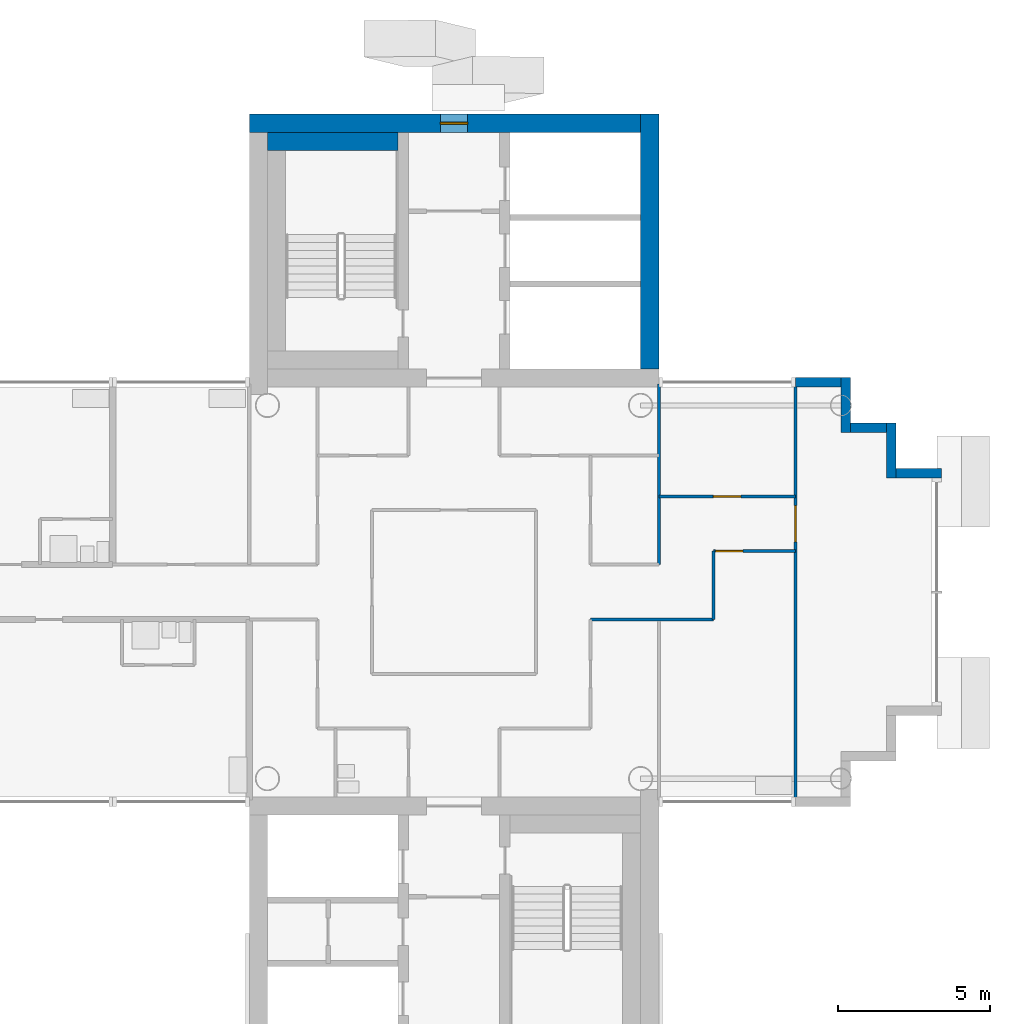
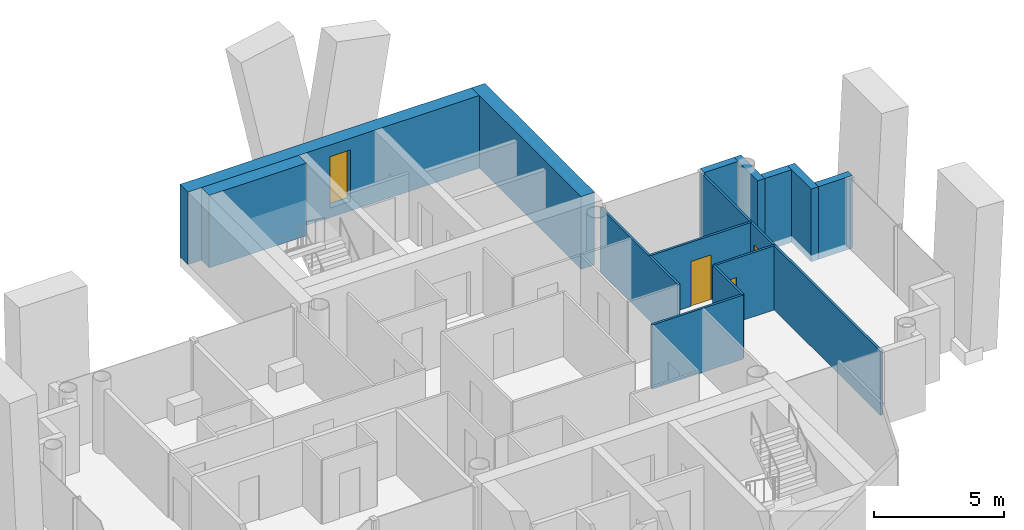
# One storey, part 11 of 18: 14 walls, 3 doors, 1 window, 4 openings.
"""IFC4 building model written with IfcOpenShell, lengths in metres."""

from ifc_helpers import new_model, si_unit, direction, frame, frame_2d, origin, place, context, subcontext, project, spatial, rectangle, extrude, material, layer, layer_set, type_object, element, fill, save


model = new_model("IFC4")

# Units and contexts
model_context = context("Model", 3, precision=1e-05, world=origin(), true_north=direction((0.0, 1.0)))
body_context = subcontext(model_context, "Body", "Model", "MODEL_VIEW")
ifc_project = project(units=[si_unit("LENGTHUNIT", "METRE"), si_unit("AREAUNIT", "SQUARE_METRE"), si_unit("VOLUMEUNIT", "CUBIC_METRE"), si_unit("PLANEANGLEUNIT", "RADIAN"), si_unit("MASSUNIT", "GRAM", prefix="KILO")], contexts=[model_context])

# Site, building, storey
site_placement = place(None, origin())
site = spatial("IfcSite", under=ifc_project, at=site_placement, CompositionType="ELEMENT")
building_placement = place(site_placement, origin())
building = spatial("IfcBuilding", under=site, at=building_placement, Name="Ipe Terrace Towers", CompositionType="ELEMENT")
storey_placement = place(building_placement, frame((0.0, 0.0, 209.60009765625)))
storey = spatial("IfcBuildingStorey", under=building, at=storey_placement, Name="L58", CompositionType="ELEMENT", Elevation=209.60009765625)

# Walls
ifc_material_1 = material(Name="Concrete C40/50 with buff precast cladding", Category="concrete")
ifc_layer_1 = layer(ifc_material_1, 0.320068359375)
ifc_layer_set_1 = layer_set([ifc_layer_1], Name="BUFF CLADDING WALL 320")
wall_type_1 = type_object("IfcWallType", Name="BUFF CLADDING WALL 320", PredefinedType="STANDARD", material=ifc_layer_set_1)
wall_1_placement = place(storey_placement, frame((52.070068359375, 3.909912109375, -0.300048828125), z_axis=(0.0, 0.0, 1.0), x_axis=(-1.0, 0.0, 0.0)))
element("IfcWall", 1, at=wall_1_placement, inside=storey, type_object=wall_type_1, Name="T2-W-L58-09a wall", PredefinedType="STANDARD", context=body_context, shape_type="SweptSolid", body=[
    extrude(rectangle(XDim=1.5, YDim=0.320068359375, at=frame_2d((0.75, 0.0))), origin(), (0.0, 0.0, 1.0), 3.39990234375),
])
wall_2_placement = place(storey_placement, frame((50.409912109375, 3.75, -0.300048828125), z_axis=(0.0, 0.0, 1.0), x_axis=(0.0, 1.0, 0.0)))
element("IfcWall", 2, at=wall_2_placement, inside=storey, type_object=wall_type_1, Name="T2-W-L58-10a wall", PredefinedType="STANDARD", context=body_context, shape_type="SweptSolid", body=[
    extrude(rectangle(XDim=1.820068359375, YDim=0.320068359375, at=frame_2d((0.91015625, 0.0))), origin(), (0.0, 0.0, 1.0), 3.39990234375),
])
wall_3_placement = place(storey_placement, frame((50.25, 5.409912109375, -0.300048828125), z_axis=(0.0, 0.0, 1.0), x_axis=(-1.0, 0.0, 0.0)))
element("IfcWall", 3, at=wall_3_placement, inside=storey, type_object=wall_type_1, Name="T2-W-L58-11a wall", PredefinedType="STANDARD", context=body_context, shape_type="SweptSolid", body=[
    extrude(rectangle(XDim=1.179931640625, YDim=0.320068359375, at=frame_2d((0.58984375, 0.0))), origin(), (0.0, 0.0, 1.0), 3.39990234375),
])
wall_4_placement = place(storey_placement, frame((48.909912109375, 5.25, -0.300048828125), z_axis=(0.0, 0.0, 1.0), x_axis=(0.0, 1.0, 0.0)))
element("IfcWall", 4, at=wall_4_placement, inside=storey, type_object=wall_type_1, Name="T2-W-L58-12a wall", PredefinedType="STANDARD", context=body_context, shape_type="SweptSolid", body=[
    extrude(rectangle(XDim=1.820068359375, YDim=0.320068359375, at=frame_2d((0.91015625, 0.0))), origin(), (0.0, 0.0, 1.0), 3.39990234375),
])
wall_5_placement = place(storey_placement, frame((48.75, 6.909912109375, -0.300048828125), z_axis=(0.0, 0.0, 1.0), x_axis=(-1.0, 0.0, 0.0)))
element("IfcWall", 5, at=wall_5_placement, inside=storey, type_object=wall_type_1, Name="T2-W-L58-13a wall", PredefinedType="STANDARD", context=body_context, shape_type="SweptSolid", body=[
    extrude(rectangle(XDim=1.5, YDim=0.320068359375, at=frame_2d((0.75, 0.0))), origin(), (0.0, 0.0, 1.0), 3.39990234375),
])
ifc_material_2 = material(Name="Gypsum board partition", Category="plasterboard")
ifc_layer_2 = layer(ifc_material_2, 0.10009765625)
ifc_layer_set_2 = layer_set([ifc_layer_2], Name="Gypsum board partition 100 mm")
wall_type_2 = type_object("IfcWallType", Name="Gypsum board partition 100 mm", PredefinedType="PARTITIONING", material=ifc_layer_set_2)
wall_6_placement = place(storey_placement, frame((44.550048828125, -0.89990234375, 0.0), z_axis=(0.0, 0.0, 1.0), x_axis=(-1.0, 0.0, 0.0)))
element("IfcWall", 6, at=wall_6_placement, inside=storey, type_object=wall_type_2, Name="Gypsum board partition T2 L58 W05", PredefinedType="PARTITIONING", context=body_context, shape_type="SweptSolid", body=[
    extrude(rectangle(XDim=4.050048828125, YDim=0.10009765625, at=frame_2d((2.02490234375, 0.0))), origin(), (0.0, 0.0, 1.0), 3.0),
])

# Wall, opening, door
wall_7_placement = place(storey_placement, frame((47.25, 1.35009765625, 0.0), z_axis=(0.0, 0.0, 1.0), x_axis=(-1.0, 0.0, 0.0)))
wall_7 = element("IfcWall", 7, at=wall_7_placement, inside=storey, type_object=wall_type_2, Name="Gypsum board partition T2 L58 W11", PredefinedType="PARTITIONING", context=body_context, shape_type="SweptSolid", body=[
    extrude(rectangle(XDim=2.699951171875, YDim=0.10009765625, at=frame_2d((1.35009765625, 0.0))), origin(), (0.0, 0.0, 1.0), 3.0),
])
opening_1_placement = place(wall_7_placement, frame((1.72998046875, 0.0, 0.0)))
opening_1 = element("IfcOpeningElement", 8, at=opening_1_placement, cuts=wall_7, Name="Opening T2-Z4E-17", PredefinedType="OPENING", context=body_context, shape_type="SweptSolid", body=[
    extrude(rectangle(XDim=0.89990234375, YDim=2.10009765625, at=frame_2d((0.449951171875, 1.050048828125))), frame((0.0, 0.06005859375, 0.0), z_axis=(0.0, -1.0, 0.0), x_axis=(1.0, 0.0, 0.0)), (0.0, 0.0, 1.0), 0.1201171875),
])
ifc_material_3 = material(Name="Timber door leaf", Category="wood")
door_type_1 = type_object("IfcDoorType", Name="Lounge door 900 x 2100", OperationType="NOTDEFINED", PredefinedType="DOOR", material=ifc_material_3)
door_1_placement = place(opening_1_placement, origin())
door_1 = element("IfcDoor", 9, at=door_1_placement, inside=storey, type_object=door_type_1, Name="Lounge door T2-Z4E-17", OperationType="SINGLE_SWING_LEFT", OverallHeight=2.10009765625, OverallWidth=0.89990234375, PredefinedType="DOOR", context=body_context, shape_type="SweptSolid", body=[
    extrude(rectangle(XDim=0.89990234375, YDim=2.10009765625, at=frame_2d((0.449951171875, 1.050048828125))), frame((0.0, 0.02490234375, 0.0), z_axis=(0.0, -1.0, 0.0), x_axis=(1.0, 0.0, 0.0)), (0.0, 0.0, 1.0), 0.050048828125),
])
fill(opening_1, door_1)

wall_8_placement = place(storey_placement, frame((47.25, 3.14990234375, 0.0), z_axis=(0.0, 0.0, 1.0), x_axis=(-1.0, 0.0, 0.0)))
wall_8 = element("IfcWall", 10, at=wall_8_placement, inside=storey, type_object=wall_type_2, Name="Gypsum board partition T2 L58 W14", PredefinedType="PARTITIONING", context=body_context, shape_type="SweptSolid", body=[
    extrude(rectangle(XDim=4.5, YDim=0.10009765625, at=frame_2d((2.25, 0.0))), origin(), (0.0, 0.0, 1.0), 3.0),
])
opening_2_placement = place(wall_8_placement, frame((1.800048828125, 0.0, 0.0)))
opening_2 = element("IfcOpeningElement", 11, at=opening_2_placement, cuts=wall_8, Name="Opening T2-Z4E-16", PredefinedType="OPENING", context=body_context, shape_type="SweptSolid", body=[
    extrude(rectangle(XDim=0.89990234375, YDim=2.10009765625, at=frame_2d((0.449951171875, 1.050048828125))), frame((0.0, 0.06005859375, 0.0), z_axis=(0.0, -1.0, 0.0), x_axis=(1.0, 0.0, 0.0)), (0.0, 0.0, 1.0), 0.1201171875),
])
door_2_placement = place(opening_2_placement, origin())
door_2 = element("IfcDoor", 12, at=door_2_placement, inside=storey, type_object=door_type_1, Name="Lounge door T2-Z4E-16", OperationType="SINGLE_SWING_RIGHT", OverallHeight=2.10009765625, OverallWidth=0.89990234375, PredefinedType="DOOR", context=body_context, shape_type="SweptSolid", body=[
    extrude(rectangle(XDim=0.89990234375, YDim=2.10009765625, at=frame_2d((0.449951171875, 1.050048828125))), frame((0.0, 0.02490234375, 0.0), z_axis=(0.0, -1.0, 0.0), x_axis=(1.0, 0.0, 0.0)), (0.0, 0.0, 1.0), 0.050048828125),
])
fill(opening_2, door_2)

wall_9_placement = place(storey_placement, frame((47.25, -6.85009765625, 0.0), z_axis=(0.0, 0.0, 1.0), x_axis=(0.0, 1.0, 0.0)))
wall_9 = element("IfcWall", 13, at=wall_9_placement, inside=storey, type_object=wall_type_2, Name="Gypsum board partition T2 L58 W17", PredefinedType="PARTITIONING", context=body_context, shape_type="SweptSolid", body=[
    extrude(rectangle(XDim=13.7001953125, YDim=0.10009765625, at=frame_2d((6.85009765625, 0.0))), origin(), (0.0, 0.0, 1.0), 3.0),
])
opening_3_placement = place(wall_9_placement, frame((8.5, 0.0, 0.0)))
opening_3 = element("IfcOpeningElement", 14, at=opening_3_placement, cuts=wall_9, Name="Opening T2-Z4E-18", PredefinedType="OPENING", context=body_context, shape_type="SweptSolid", body=[
    extrude(rectangle(XDim=1.199951171875, YDim=2.10009765625, at=frame_2d((0.60009765625, 1.050048828125))), frame((0.0, 0.06005859375, 0.0), z_axis=(0.0, -1.0, 0.0), x_axis=(1.0, 0.0, 0.0)), (0.0, 0.0, 1.0), 0.1201171875),
])
ifc_material_4 = material(Name="Timber door leaf", Category="wood")
door_type_2 = type_object("IfcDoorType", Name="Lounge door 1200 x 2100", OperationType="NOTDEFINED", PredefinedType="DOOR", material=ifc_material_4)
door_3_placement = place(opening_3_placement, origin())
door_3 = element("IfcDoor", 15, at=door_3_placement, inside=storey, type_object=door_type_2, Name="Lounge door T2-Z4E-18", OperationType="SINGLE_SWING_RIGHT", OverallHeight=2.10009765625, OverallWidth=1.199951171875, PredefinedType="DOOR", context=body_context, shape_type="SweptSolid", body=[
    extrude(rectangle(XDim=1.199951171875, YDim=2.10009765625, at=frame_2d((0.60009765625, 1.050048828125))), frame((0.0, 0.02490234375, 0.0), z_axis=(0.0, -1.0, 0.0), x_axis=(1.0, 0.0, 0.0)), (0.0, 0.0, 1.0), 0.050048828125),
])
fill(opening_3, door_3)

# Walls
wall_10_placement = place(storey_placement, frame((44.550048828125, -0.89990234375, 0.0), z_axis=(0.0, 0.0, 1.0), x_axis=(0.0, 1.0, 0.0)))
element("IfcWall", 16, at=wall_10_placement, inside=storey, type_object=wall_type_2, Name="Gypsum board partition T2 L58 W18", PredefinedType="PARTITIONING", context=body_context, shape_type="SweptSolid", body=[
    extrude(rectangle(XDim=2.25, YDim=0.10009765625, at=frame_2d((1.125, 0.0))), origin(), (0.0, 0.0, 1.0), 3.0),
])
wall_11_placement = place(storey_placement, frame((42.75, 0.89990234375, 0.0), z_axis=(0.0, 0.0, 1.0), x_axis=(0.0, 1.0, 0.0)))
element("IfcWall", 17, at=wall_11_placement, inside=storey, type_object=wall_type_2, Name="Gypsum board partition T2 L58 W20", PredefinedType="PARTITIONING", context=body_context, shape_type="SweptSolid", body=[
    extrude(rectangle(XDim=5.9501953125, YDim=0.10009765625, at=frame_2d((2.97509765625, 0.0))), origin(), (0.0, 0.0, 1.0), 3.0),
])
ifc_material_5 = material(Name="Concrete C40/50", Category="concrete")
ifc_layer_3 = layer(ifc_material_5, 0.60009765625)
ifc_layer_set_3 = layer_set([ifc_layer_3], Name="RW600 CORE INFILL WALL 600 C40-50")
wall_type_3 = type_object("IfcWallType", Name="RW600 CORE INFILL WALL 600 C40-50", PredefinedType="SHEAR", material=ifc_layer_set_3)
wall_12_placement = place(storey_placement, frame((34.14990234375, 14.85009765625, 0.0), z_axis=(0.0, 0.0, 1.0), x_axis=(-1.0, 0.0, 0.0)))
element("IfcWall", 18, at=wall_12_placement, inside=storey, type_object=wall_type_3, Name="Core infill wall T2-C1-far", PredefinedType="SHEAR", context=body_context, shape_type="SweptSolid", body=[
    extrude(rectangle(XDim=4.2998046875, YDim=0.60009765625, at=frame_2d((2.14990234375, 0.0))), origin(), (0.0, 0.0, 1.0), 3.39990234375),
])
ifc_material_6 = material(Name="Concrete C40/50", Category="concrete")
ifc_layer_4 = layer(ifc_material_6, 0.60009765625)
ifc_layer_set_4 = layer_set([ifc_layer_4], Name="RW600 CORE WALL 600 C40-50")
wall_type_4 = type_object("IfcWallType", Name="RW600 CORE WALL 600 C40-50", PredefinedType="SHEAR", material=ifc_layer_set_4)
wall_13_placement = place(storey_placement, frame((42.449951171875, 7.35009765625, 0.0), z_axis=(0.0, 0.0, 1.0), x_axis=(0.0, 1.0, 0.0)))
element("IfcWall", 19, at=wall_13_placement, inside=storey, type_object=wall_type_4, Name="Core wall T2-C1-Z4-W02", PredefinedType="SHEAR", context=body_context, shape_type="SweptSolid", body=[
    extrude(rectangle(XDim=8.39990234375, YDim=0.60009765625, at=frame_2d((4.199951171875, 0.0))), origin(), (0.0, 0.0, 1.0), 3.39990234375),
])

# Wall, opening, window
wall_14_placement = place(storey_placement, frame((42.14990234375, 15.449951171875, 0.0), z_axis=(0.0, 0.0, 1.0), x_axis=(-1.0, 0.0, 0.0)))
wall_14 = element("IfcWall", 20, at=wall_14_placement, inside=storey, type_object=wall_type_4, Name="Core wall T2-C1-Z4-W03", PredefinedType="SHEAR", context=body_context, shape_type="SweptSolid", body=[
    extrude(rectangle(XDim=12.89990234375, YDim=0.60009765625, at=frame_2d((6.449951171875, 0.0))), origin(), (0.0, 0.0, 1.0), 3.39990234375),
])
opening_4_placement = place(wall_14_placement, frame((5.699951171875, 0.0, 0.449951171875)))
opening_4 = element("IfcOpeningElement", 21, at=opening_4_placement, cuts=wall_14, Name="Opening T2-C1-W-01-L58", PredefinedType="OPENING", context=body_context, shape_type="SweptSolid", body=[
    extrude(rectangle(XDim=0.89990234375, YDim=2.39990234375, at=frame_2d((0.449951171875, 1.199951171875))), frame((0.0, 0.31005859375, 0.0), z_axis=(0.0, -1.0, 0.0), x_axis=(1.0, 0.0, 0.0)), (0.0, 0.0, 1.0), 0.6201171875),
])
ifc_material_7 = material(Name="Fire-resistant glazing EI 60", Category="glass")
window_type = type_object("IfcWindowType", Name="CORRIDOR END SLOT WINDOW 900 x 2400 EI 60", PartitioningType="SINGLE_PANEL", PredefinedType="WINDOW", material=ifc_material_7)
window_placement = place(opening_4_placement, origin())
window = element("IfcWindow", 22, at=window_placement, inside=storey, type_object=window_type, Name="W-01 window", OverallHeight=2.39990234375, OverallWidth=0.89990234375, PartitioningType="SINGLE_PANEL", PredefinedType="WINDOW", context=body_context, shape_type="SweptSolid", body=[
    extrude(rectangle(XDim=0.89990234375, YDim=2.39990234375, at=frame_2d((0.449951171875, 1.199951171875))), frame((0.0, 0.030029296875, 0.0), z_axis=(0.0, -1.0, 0.0), x_axis=(1.0, 0.0, 0.0)), (0.0, 0.0, 1.0), 0.06005859375),
])
fill(opening_4, window)

save(model, "model.ifc")
